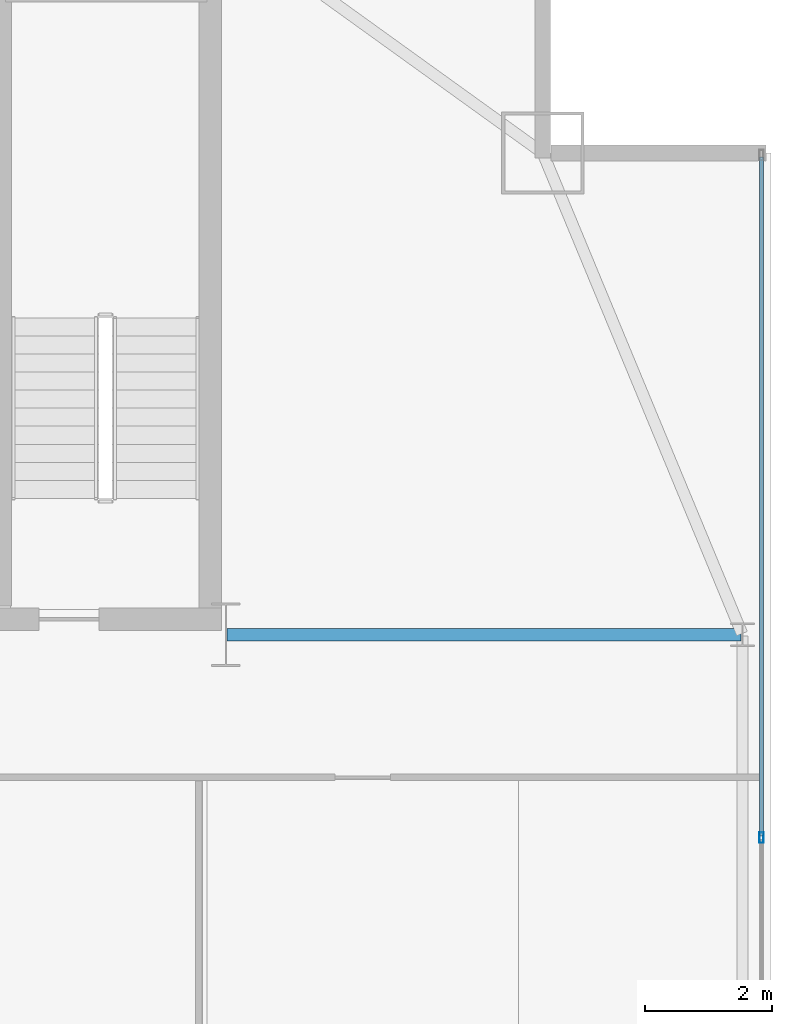
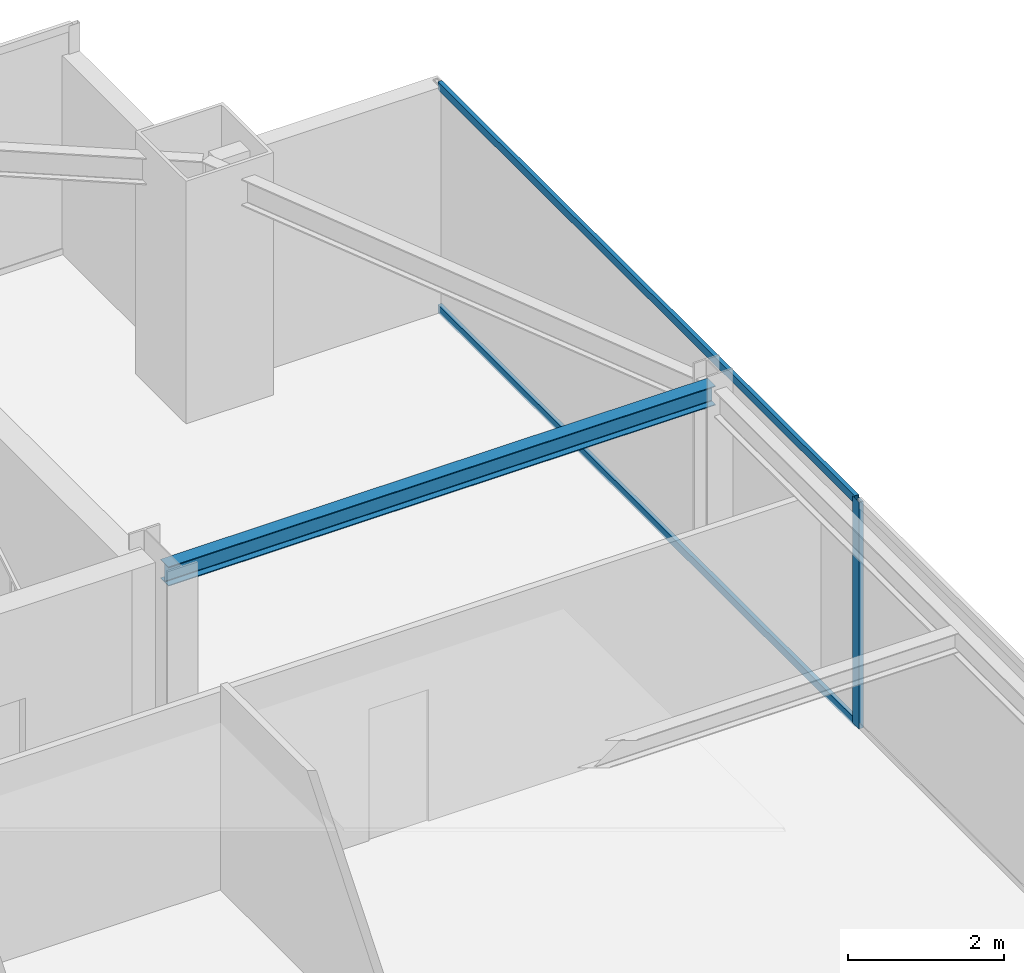
# One storey, part 19 of 30: 3 members, 1 beam, 1 element without a shape of its own.
"""IFC4 building model written with IfcOpenShell, lengths in metres."""

from ifc_helpers import new_model, si_unit, direction, frame, origin, origin_2d, place, context, subcontext, project, spatial, hollow_rectangle, i_section, extrude, source, transform, mapped, material, layer, layer_set, material_profile, profile_set, type_object, type_shapes, element, aggregate, save


model = new_model("IFC4")

# Units and contexts
model_context = context("Model", 3, precision=1e-05, world=origin(), true_north=direction((0.0, 1.0)))
body_context = subcontext(model_context, "Body", "Model", "MODEL_VIEW")
ifc_project = project(units=[si_unit("LENGTHUNIT", "METRE"), si_unit("AREAUNIT", "SQUARE_METRE"), si_unit("VOLUMEUNIT", "CUBIC_METRE"), si_unit("PLANEANGLEUNIT", "RADIAN"), si_unit("MASSUNIT", "GRAM", prefix="KILO")], contexts=[model_context])

# Site, building, storey
site_placement = place(None, origin())
site = spatial("IfcSite", under=ifc_project, at=site_placement, CompositionType="ELEMENT")
building_placement = place(site_placement, origin())
building = spatial("IfcBuilding", under=site, at=building_placement, Name="Varnel Quay Broadcast Tower", CompositionType="ELEMENT")
storey_placement = place(building_placement, frame((0.0, 0.0, 149.60009765625)))
storey = spatial("IfcBuildingStorey", under=building, at=storey_placement, Name="L36", CompositionType="ELEMENT", Elevation=149.60009765625)

# Beam
ifc_material_1 = material(Name="Structural Steel CSA G40.21 350W", Category="steel")
ifc_material_profile_1 = material_profile(ifc_material_1, i_section(OverallWidth=0.202880859375, OverallDepth=0.302978515625, WebThickness=0.007568359375, FlangeThickness=0.01318359375, FilletRadius=0.011962890625, at=origin_2d()), Name="W310X60")
ifc_profile_set_1 = profile_set([ifc_material_profile_1], Name="Structural Steel CSA G40.21 350W")
beam_type = type_object("IfcBeamType", Name="Beam_W310X60", PredefinedType="JOIST", material=ifc_profile_set_1)
shared_shape_1 = source(origin(), body_context, "Body", "SweptSolid", [
    extrude(i_section(OverallWidth=0.202880859375, OverallDepth=0.302978515625, WebThickness=0.007568359375, FlangeThickness=0.01318359375, FilletRadius=0.011962890625, at=origin_2d()), origin(), (0.0, 0.0, 1.0), 8.110107421875),
])
type_shapes(beam_type, [shared_shape_1])
beam_placement = place(storey_placement, frame((52.419921875, 35.60009765625, 3.3984375), z_axis=(1.0, 0.0, 0.0), x_axis=(0.0, 1.0, 0.0)))
element("IfcBeam", 1, at=beam_placement, inside=storey, type_object=beam_type, Name="L36 East Core Tie Joist", PredefinedType="JOIST", context=body_context, shape_type="MappedRepresentation", body=[
    mapped(shared_shape_1, transform((0.0, 0.0, 0.0), x_axis=(1.0, 0.0, 0.0), y_axis=(0.0, 1.0, 0.0), z_axis=(0.0, 0.0, 1.0), scale=1.0)),
])

# Curtain wall, members
ifc_material_2 = material(Name="Anodised Bronze Aluminium 6063-T6", Category="aluminium")
ifc_layer = layer(ifc_material_2, 0.18994140625, Name="Anodised Bronze Aluminium 6063-T6")
ifc_layer_set = layer_set([ifc_layer], Name="Anodised Bronze Aluminium 6063-T6")
curtain_wall_type = type_object("IfcCurtainWallType", Name="CW_UpperTower", PredefinedType="NOTDEFINED", material=ifc_layer_set)
curtain_wall_placement = place(storey_placement, origin())
curtain_wall = element("IfcCurtainWall", 2, at=curtain_wall_placement, inside=storey, type_object=curtain_wall_type, Name="L36 East Unitised Curtain Wall", PredefinedType="NOTDEFINED")
ifc_material_profile_2 = material_profile(ifc_material_2, hollow_rectangle(XDim=0.06005859375, YDim=0.125, WallThickness=0.0029296875, at=origin_2d()), Name="ALU60X125X3")
ifc_profile_set_2 = profile_set([ifc_material_profile_2], Name="Anodised Bronze Aluminium 6063-T6")
member_type_1 = type_object("IfcMemberType", Name="Tran_CWS-03", PredefinedType="USERDEFINED", material=ifc_profile_set_2)
shared_shape_2 = source(origin(), body_context, "Body", "SweptSolid", [
    extrude(hollow_rectangle(XDim=0.06005859375, YDim=0.125, WallThickness=0.0029296875, at=origin_2d()), origin(), (0.0, 0.0, 1.0), 10.702392578125),
])
type_shapes(member_type_1, [shared_shape_2])
member_1_placement = place(storey_placement, frame((60.85009765625, 32.4326171875, 0.02978515625), z_axis=(0.0, 1.0, 0.0), x_axis=(-1.0, 0.0, 0.0)))
member_1 = element("IfcMember", 3, at=member_1_placement, type_object=member_type_1, Name="CWS-03 transom 3.1", ObjectType="TRANSOM", PredefinedType="USERDEFINED", context=body_context, shape_type="MappedRepresentation", body=[
    mapped(shared_shape_2, transform((0.0, 0.0, 0.0), x_axis=(1.0, 0.0, 0.0), y_axis=(0.0, 1.0, 0.0), z_axis=(0.0, 0.0, 1.0), scale=1.0)),
])
member_2_placement = place(storey_placement, frame((60.85009765625, 32.4326171875, 3.52001953125), z_axis=(0.0, 1.0, 0.0), x_axis=(-1.0, 0.0, 0.0)))
member_2 = element("IfcMember", 4, at=member_2_placement, type_object=member_type_1, Name="CWS-03 transom 3.2", ObjectType="TRANSOM", PredefinedType="USERDEFINED", context=body_context, shape_type="MappedRepresentation", body=[
    mapped(shared_shape_2, transform((0.0, 0.0, 0.0), x_axis=(1.0, 0.0, 0.0), y_axis=(0.0, 1.0, 0.0), z_axis=(0.0, 0.0, 1.0), scale=1.0)),
])
ifc_material_profile_3 = material_profile(ifc_material_2, hollow_rectangle(XDim=0.06494140625, YDim=0.1650390625, WallThickness=0.00341796875, at=origin_2d()), Name="ALU65X165X3.5")
ifc_profile_set_3 = profile_set([ifc_material_profile_3], Name="Anodised Bronze Aluminium 6063-T6")
member_type_2 = type_object("IfcMemberType", Name="Mull_CWS-03", PredefinedType="MULLION", material=ifc_profile_set_3)
shared_shape_3 = source(origin(), body_context, "Body", "SweptSolid", [
    extrude(hollow_rectangle(XDim=0.06494140625, YDim=0.1650390625, WallThickness=0.00341796875, at=origin_2d()), origin(), (0.0, 0.0, 1.0), 3.5498046875),
])
type_shapes(member_type_2, [shared_shape_3])
member_3_placement = place(storey_placement, frame((60.85009765625, 32.39990234375, 0.0), z_axis=(0.0, 0.0, 1.0), x_axis=(-1.0, 0.0, 0.0)))
member_3 = element("IfcMember", 5, at=member_3_placement, type_object=member_type_2, Name="CWS-03 mullion 3", PredefinedType="MULLION", context=body_context, shape_type="MappedRepresentation", body=[
    mapped(shared_shape_3, transform((0.0, 0.0, 0.0), x_axis=(1.0, 0.0, 0.0), y_axis=(0.0, 1.0, 0.0), z_axis=(0.0, 0.0, 1.0), scale=1.0)),
])
aggregate(curtain_wall, [member_3, member_1, member_2])

save(model, "model.ifc")
